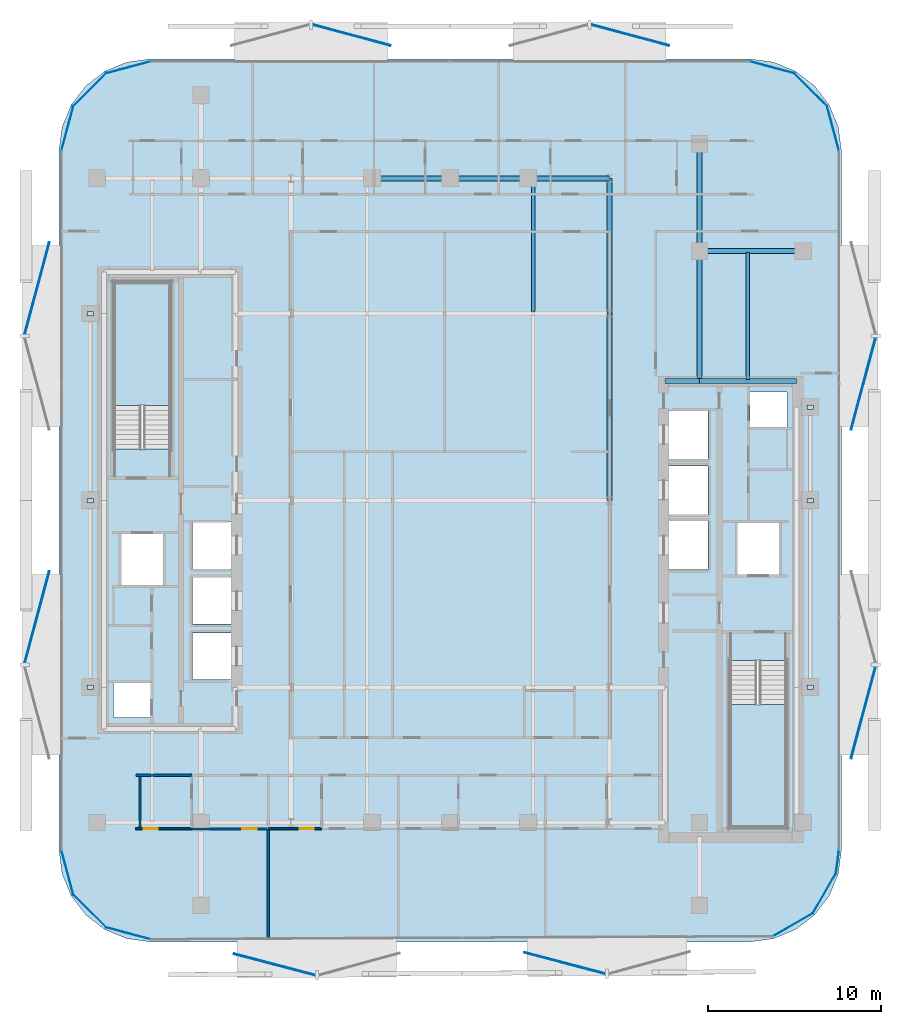
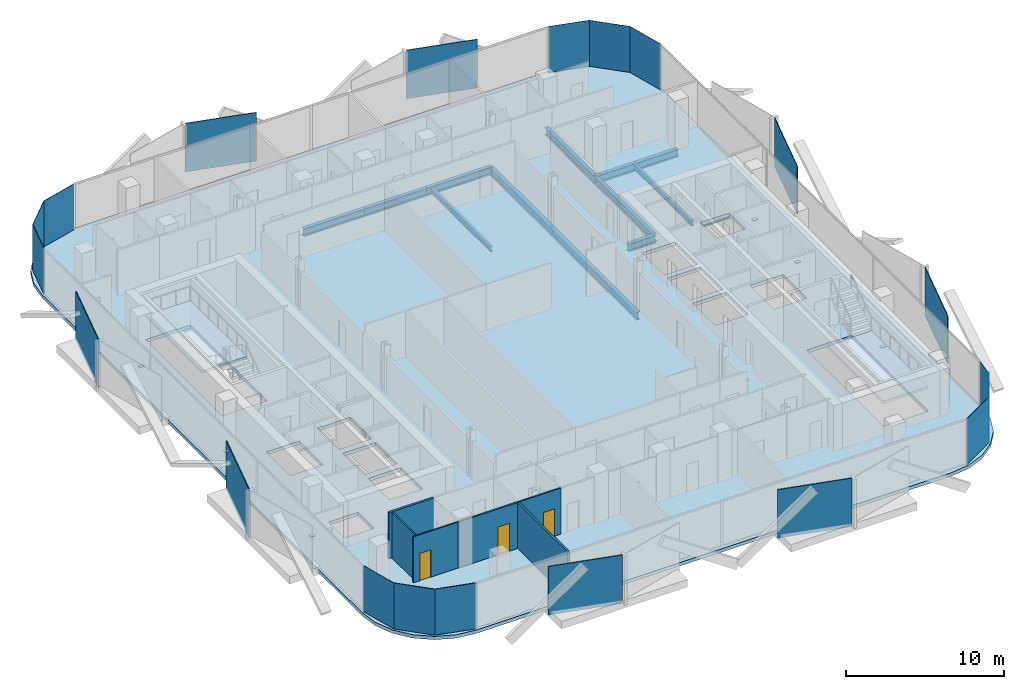
# One storey, part 2 of 17: 26 plates, 12 beams, 6 walls, 3 doors, 3 slabs, 3 openings, 2 elements without a shape of their own.
"""IFC4 building model written with IfcOpenShell, lengths in metres."""

from ifc_helpers import new_model, si_unit, direction, frame, frame_2d, origin, origin_2d, place, context, subcontext, project, spatial, polyline, rectangle, i_section, outline, extrude, material, layer, layer_set, material_profile, profile_set, type_object, element, fill, aggregate, save


model = new_model("IFC4")

# Units and contexts
model_context = context("Model", 3, precision=1e-05, world=origin(), true_north=direction((0.0, 1.0)))
body_context = subcontext(model_context, "Body", "Model", "MODEL_VIEW")
ifc_project = project(units=[si_unit("LENGTHUNIT", "METRE"), si_unit("AREAUNIT", "SQUARE_METRE"), si_unit("VOLUMEUNIT", "CUBIC_METRE"), si_unit("PLANEANGLEUNIT", "RADIAN"), si_unit("MASSUNIT", "GRAM", prefix="KILO")], contexts=[model_context])

# Site, building, storey
site_placement = place(None, origin())
site = spatial("IfcSite", under=ifc_project, at=site_placement, CompositionType="ELEMENT")
building_placement = place(site_placement, origin())
building = spatial("IfcBuilding", under=site, at=building_placement, Name="Khairoan Windgate Tower", CompositionType="ELEMENT")
storey_placement = place(building_placement, frame((0.0, 0.0, 195.39990234375)))
storey = spatial("IfcBuildingStorey", under=building, at=storey_placement, Name="L45", CompositionType="ELEMENT", Elevation=195.39990234375)

# Beams
ifc_material_1 = material(Name="Steel S355", Category="steel")
ifc_material_profile_1 = material_profile(ifc_material_1, i_section(OverallWidth=0.300048828125, OverallDepth=0.587890625, WebThickness=0.011962890625, FlangeThickness=0.02001953125, FilletRadius=0.02392578125, at=origin_2d()))
ifc_profile_set_1 = profile_set([ifc_material_profile_1], Name="Steel S355")
beam_type_1 = type_object("IfcBeamType", Name="Beam B-G4 H588x300x12x20", PredefinedType="BEAM", material=ifc_profile_set_1)
beam_1_placement = place(storey_placement, frame((12.39990234375, 6.89990234375, -0.553955078125), z_axis=(1.0, 0.0, 0.0), x_axis=(0.0, 1.0, 0.0)))
element("IfcBeam", 1, at=beam_1_placement, inside=storey, type_object=beam_type_1, Name="L45 E-W Primary Girder 15", PredefinedType="BEAM", context=body_context, shape_type="SweptSolid", body=[
    extrude(i_section(OverallWidth=0.300048828125, OverallDepth=0.587890625, WebThickness=0.011962890625, FlangeThickness=0.02001953125, FilletRadius=0.02392578125, at=origin_2d()), origin(), (0.0, 0.0, 1.0), 2.0),
])
beam_2_placement = place(storey_placement, frame((14.39990234375, 6.89990234375, -0.553955078125), z_axis=(1.0, 0.0, 0.0), x_axis=(0.0, 1.0, 0.0)))
element("IfcBeam", 2, at=beam_2_placement, inside=storey, type_object=beam_type_1, Name="L45 E-W Primary Girder 16", PredefinedType="BEAM", context=body_context, shape_type="SweptSolid", body=[
    extrude(i_section(OverallWidth=0.300048828125, OverallDepth=0.587890625, WebThickness=0.011962890625, FlangeThickness=0.02001953125, FilletRadius=0.02392578125, at=origin_2d()), origin(), (0.0, 0.0, 1.0), 5.60009765625),
])
beam_3_placement = place(storey_placement, frame((14.39990234375, 14.39990234375, -0.553955078125), z_axis=(1.0, 0.0, 0.0), x_axis=(0.0, 1.0, 0.0)))
element("IfcBeam", 3, at=beam_3_placement, inside=storey, type_object=beam_type_1, Name="L45 E-W Primary Girder 21", PredefinedType="BEAM", context=body_context, shape_type="SweptSolid", body=[
    extrude(i_section(OverallWidth=0.300048828125, OverallDepth=0.587890625, WebThickness=0.011962890625, FlangeThickness=0.02001953125, FilletRadius=0.02392578125, at=origin_2d()), origin(), (0.0, 0.0, 1.0), 6.0),
])
for number, where, z_axis, x_axis, name in (
    (4, (-4.5, 18.60009765625, -0.553955078125), (1.0, 0.0, 0.0), (0.0, 1.0, 0.0), "L45 E-W Primary Girder 25"),
    (5, (0.0, 18.60009765625, -0.553955078125), (1.0, 0.0, 0.0), (0.0, 1.0, 0.0), "L45 E-W Primary Girder 26"),
):
    element("IfcBeam", number, at=place(storey_placement, frame(where, z_axis=z_axis, x_axis=x_axis)), inside=storey, type_object=beam_type_1, Name=name, PredefinedType="BEAM", context=body_context, shape_type="SweptSolid", body=[
        extrude(i_section(OverallWidth=0.300048828125, OverallDepth=0.587890625, WebThickness=0.011962890625, FlangeThickness=0.02001953125, FilletRadius=0.02392578125, at=origin_2d()), origin(), (0.0, 0.0, 1.0), 4.5),
    ])
beam_4_placement = place(storey_placement, frame((4.5, 18.60009765625, -0.553955078125), z_axis=(1.0, 0.0, 0.0), x_axis=(0.0, 1.0, 0.0)))
element("IfcBeam", 6, at=beam_4_placement, inside=storey, type_object=beam_type_1, Name="L45 E-W Primary Girder 27", PredefinedType="BEAM", context=body_context, shape_type="SweptSolid", body=[
    extrude(i_section(OverallWidth=0.300048828125, OverallDepth=0.587890625, WebThickness=0.011962890625, FlangeThickness=0.02001953125, FilletRadius=0.02392578125, at=origin_2d()), origin(), (0.0, 0.0, 1.0), 4.699951171875),
])
beam_5_placement = place(storey_placement, frame((9.199951171875, 0.0, -0.553955078125), z_axis=(0.0, 1.0, 0.0), x_axis=(-1.0, 0.0, 0.0)))
element("IfcBeam", 7, at=beam_5_placement, inside=storey, type_object=beam_type_1, Name="L45 N-S Primary Beam 47", PredefinedType="BEAM", context=body_context, shape_type="SweptSolid", body=[
    extrude(i_section(OverallWidth=0.300048828125, OverallDepth=0.587890625, WebThickness=0.011962890625, FlangeThickness=0.02001953125, FilletRadius=0.02392578125, at=origin_2d()), origin(), (0.0, 0.0, 1.0), 10.800048828125),
])
beam_6_placement = place(storey_placement, frame((9.199951171875, 10.800048828125, -0.553955078125), z_axis=(0.0, 1.0, 0.0), x_axis=(-1.0, 0.0, 0.0)))
element("IfcBeam", 8, at=beam_6_placement, inside=storey, type_object=beam_type_1, Name="L45 N-S Primary Beam 48", PredefinedType="BEAM", context=body_context, shape_type="SweptSolid", body=[
    extrude(i_section(OverallWidth=0.300048828125, OverallDepth=0.587890625, WebThickness=0.011962890625, FlangeThickness=0.02001953125, FilletRadius=0.02392578125, at=origin_2d()), origin(), (0.0, 0.0, 1.0), 7.800048828125),
])
beam_7_placement = place(storey_placement, frame((14.39990234375, 6.89990234375, -0.553955078125), z_axis=(0.0, 1.0, 0.0), x_axis=(-1.0, 0.0, 0.0)))
element("IfcBeam", 9, at=beam_7_placement, inside=storey, type_object=beam_type_1, Name="L45 N-S Primary Beam 51", PredefinedType="BEAM", context=body_context, shape_type="SweptSolid", body=[
    extrude(i_section(OverallWidth=0.300048828125, OverallDepth=0.587890625, WebThickness=0.011962890625, FlangeThickness=0.02001953125, FilletRadius=0.02392578125, at=origin_2d()), origin(), (0.0, 0.0, 1.0), 7.5),
])
beam_8_placement = place(storey_placement, frame((14.39990234375, 14.39990234375, -0.553955078125), z_axis=(0.0, 1.0, 0.0), x_axis=(-1.0, 0.0, 0.0)))
element("IfcBeam", 10, at=beam_8_placement, inside=storey, type_object=beam_type_1, Name="L45 N-S Primary Beam 52", PredefinedType="BEAM", context=body_context, shape_type="SweptSolid", body=[
    extrude(i_section(OverallWidth=0.300048828125, OverallDepth=0.587890625, WebThickness=0.011962890625, FlangeThickness=0.02001953125, FilletRadius=0.02392578125, at=origin_2d()), origin(), (0.0, 0.0, 1.0), 6.2001953125),
])
ifc_material_2 = material(Name="Steel S355", Category="steel")
ifc_material_profile_2 = material_profile(ifc_material_2, i_section(OverallWidth=0.199951171875, OverallDepth=0.39990234375, WebThickness=0.008056640625, FlangeThickness=0.012939453125, FilletRadius=0.01611328125, at=origin_2d()))
ifc_profile_set_2 = profile_set([ifc_material_profile_2], Name="Steel S355")
beam_type_2 = type_object("IfcBeamType", Name="Beam J-S4 H400x200x8x13", PredefinedType="JOIST", material=ifc_profile_set_2)
beam_9_placement = place(storey_placement, frame((4.800048828125, 10.889892578125, -0.4599609375), z_axis=(0.0, 1.0, 0.0), x_axis=(-1.0, 0.0, 0.0)))
element("IfcBeam", 11, at=beam_9_placement, inside=storey, type_object=beam_type_2, Name="L45 Secondary Floor Joist 10", PredefinedType="JOIST", context=body_context, shape_type="SweptSolid", body=[
    extrude(i_section(OverallWidth=0.199951171875, OverallDepth=0.39990234375, WebThickness=0.008056640625, FlangeThickness=0.012939453125, FilletRadius=0.01611328125, at=origin_2d()), origin(), (0.0, 0.0, 1.0), 7.6201171875),
])
beam_10_placement = place(storey_placement, frame((17.199951171875, 6.989990234375, -0.4599609375), z_axis=(0.0, 1.0, 0.0), x_axis=(-1.0, 0.0, 0.0)))
element("IfcBeam", 12, at=beam_10_placement, inside=storey, type_object=beam_type_2, Name="L45 Secondary Floor Joist 11", PredefinedType="JOIST", context=body_context, shape_type="SweptSolid", body=[
    extrude(i_section(OverallWidth=0.199951171875, OverallDepth=0.39990234375, WebThickness=0.008056640625, FlangeThickness=0.012939453125, FilletRadius=0.01611328125, at=origin_2d()), origin(), (0.0, 0.0, 1.0), 7.320068359375),
])

# Plates
ifc_material_3 = material(Name="Low-E Solar Control Laminated Glass", Category="glass")
ifc_layer_1 = layer(ifc_material_3, 0.030029296875, Name="Low-E Solar Control Laminated Glass")
ifc_layer_set_1 = layer_set([ifc_layer_1], Name="Low-E Solar Control Laminated Glass")
plate_type_1 = type_object("IfcPlateType", Name="Aerodynamic Wind-Corner Curved Glazing Plate", PredefinedType="USERDEFINED", material=ifc_layer_set_1)
plate_1_placement = place(storey_placement, frame((-18.585205078125, -25.013916015625, 0.0), z_axis=(0.0, 0.0, 1.0), x_axis=(-0.966061211211, 0.258313252067, 0.0)))
element("IfcPlate", 13, at=plate_1_placement, inside=storey, type_object=plate_type_1, Name="L45 Aerodynamic Wind-Corner Curved Glazing Panel 2", ObjectType="GLAZING PANEL", PredefinedType="USERDEFINED", context=body_context, shape_type="SweptSolid", body=[
    extrude(rectangle(XDim=2.719482421875, YDim=0.030029296875, at=origin_2d()), origin(), (0.0, 0.0, 1.0), 3.5400390625),
])
plate_2_placement = place(storey_placement, frame((-20.823486328125, -23.723388671875, 0.0), z_axis=(0.0, 0.0, 1.0), x_axis=(-0.707106781187, 0.707106781187, 0.0)))
element("IfcPlate", 14, at=plate_2_placement, inside=storey, type_object=plate_type_1, Name="L45 Aerodynamic Wind-Corner Curved Glazing Panel 3", ObjectType="GLAZING PANEL", PredefinedType="USERDEFINED", context=body_context, shape_type="SweptSolid", body=[
    extrude(rectangle(XDim=2.710205078125, YDim=0.030029296875, at=origin_2d()), origin(), (0.0, 0.0, 1.0), 3.5400390625),
])
for number, where, z_axis, x_axis, name in (
    (15, (-22.11376953125, -21.485107421875, 0.0), (0.0, 0.0, 1.0), (-0.258313252067, 0.966061211211, 0.0), "L45 Aerodynamic Wind-Corner Curved Glazing Panel 4"),
    (16, (-22.11376953125, 21.485107421875, 0.0), (0.0, 0.0, 1.0), (0.258313252067, 0.966061211211, 0.0), "L45 Aerodynamic Wind-Corner Curved Glazing Panel 6"),
):
    element("IfcPlate", number, at=place(storey_placement, frame(where, z_axis=z_axis, x_axis=x_axis)), inside=storey, type_object=plate_type_1, Name=name, ObjectType="GLAZING PANEL", PredefinedType="USERDEFINED", context=body_context, shape_type="SweptSolid", body=[
        extrude(rectangle(XDim=2.719482421875, YDim=0.030029296875, at=origin_2d()), origin(), (0.0, 0.0, 1.0), 3.5400390625),
    ])
plate_3_placement = place(storey_placement, frame((-20.823486328125, 23.723388671875, 0.0), z_axis=(0.0, 0.0, 1.0), x_axis=(0.707106781187, 0.707106781187, 0.0)))
element("IfcPlate", 17, at=plate_3_placement, inside=storey, type_object=plate_type_1, Name="L45 Aerodynamic Wind-Corner Curved Glazing Panel 7", ObjectType="GLAZING PANEL", PredefinedType="USERDEFINED", context=body_context, shape_type="SweptSolid", body=[
    extrude(rectangle(XDim=2.710205078125, YDim=0.030029296875, at=origin_2d()), origin(), (0.0, 0.0, 1.0), 3.5400390625),
])
for number, where, z_axis, x_axis, name in (
    (18, (-18.585205078125, 25.013916015625, 0.0), (0.0, 0.0, 1.0), (0.966061211211, 0.258313252067, 0.0), "L45 Aerodynamic Wind-Corner Curved Glazing Panel 8"),
    (19, (18.585205078125, 25.013916015625, 0.0), (0.0, 0.0, 1.0), (0.966061211211, -0.258313252067, 0.0), "L45 Aerodynamic Wind-Corner Curved Glazing Panel 10"),
):
    element("IfcPlate", number, at=place(storey_placement, frame(where, z_axis=z_axis, x_axis=x_axis)), inside=storey, type_object=plate_type_1, Name=name, ObjectType="GLAZING PANEL", PredefinedType="USERDEFINED", context=body_context, shape_type="SweptSolid", body=[
        extrude(rectangle(XDim=2.719482421875, YDim=0.030029296875, at=origin_2d()), origin(), (0.0, 0.0, 1.0), 3.5400390625),
    ])
plate_4_placement = place(storey_placement, frame((20.823486328125, 23.723388671875, 0.0), z_axis=(0.0, 0.0, 1.0), x_axis=(0.707106781187, -0.707106781187, 0.0)))
element("IfcPlate", 20, at=plate_4_placement, inside=storey, type_object=plate_type_1, Name="L45 Aerodynamic Wind-Corner Curved Glazing Panel 11", ObjectType="GLAZING PANEL", PredefinedType="USERDEFINED", context=body_context, shape_type="SweptSolid", body=[
    extrude(rectangle(XDim=2.710205078125, YDim=0.030029296875, at=origin_2d()), origin(), (0.0, 0.0, 1.0), 3.5400390625),
])
plate_5_placement = place(storey_placement, frame((22.11376953125, 21.485107421875, 0.0), z_axis=(0.0, 0.0, 1.0), x_axis=(0.258313252067, -0.966061211211, 0.0)))
element("IfcPlate", 21, at=plate_5_placement, inside=storey, type_object=plate_type_1, Name="L45 Aerodynamic Wind-Corner Curved Glazing Panel 12", ObjectType="GLAZING PANEL", PredefinedType="USERDEFINED", context=body_context, shape_type="SweptSolid", body=[
    extrude(rectangle(XDim=2.719482421875, YDim=0.030029296875, at=origin_2d()), origin(), (0.0, 0.0, 1.0), 3.5400390625),
])
plate_6_placement = place(storey_placement, frame((22.37158203125, -20.863037109375, 0.0), z_axis=(0.0, 0.0, 1.0), x_axis=(-0.13052619222, -0.991444861374, 0.0)))
element("IfcPlate", 22, at=plate_6_placement, inside=storey, type_object=plate_type_1, Name="L45 Aerodynamic Wind-Corner Curved Glazing Panel 14", ObjectType="GLAZING PANEL", PredefinedType="USERDEFINED", context=body_context, shape_type="SweptSolid", body=[
    extrude(rectangle(XDim=1.39599609375, YDim=0.030029296875, at=origin_2d()), origin(), (0.0, 0.0, 1.0), 3.5400390625),
])
for number, where, z_axis, x_axis, name in (
    (23, (21.615478515625, -22.69140625, 0.0), (0.0, 0.0, 1.0), (-0.5, -0.866025403784, 0.0), "L45 Aerodynamic Wind-Corner Curved Glazing Panel 15"),
    (24, (19.79150390625, -24.515380859375, 0.0), (0.0, 0.0, 1.0), (-0.866025403784, -0.5, 0.0), "L45 Aerodynamic Wind-Corner Curved Glazing Panel 16"),
):
    element("IfcPlate", number, at=place(storey_placement, frame(where, z_axis=z_axis, x_axis=x_axis)), inside=storey, type_object=plate_type_1, Name=name, ObjectType="GLAZING PANEL", PredefinedType="USERDEFINED", context=body_context, shape_type="SweptSolid", body=[
        extrude(rectangle(XDim=2.71044921875, YDim=0.030029296875, at=origin_2d()), origin(), (0.0, 0.0, 1.0), 3.5400390625),
    ])
ifc_material_4 = material(Name="Steel S355", Category="steel")
ifc_layer_2 = layer(ifc_material_4, 0.0400390625, Name="Steel S355")
ifc_layer_set_2 = layer_set([ifc_layer_2], Name="Steel S355")
plate_type_2 = type_object("IfcPlateType", Name="Hollow Section End-Cap Plate PL-CAP40", PredefinedType="SHEET", material=ifc_layer_set_2)
for number, where, z_axis, x_axis, name in (
    (25, (-20.800048828125, -10.784912109375, -0.454833984375), (0.0, 0.0, 1.0), (0.0, 1.0, 0.0), "BM-SP-L45-028 steel end-cap plate 1"),
    (26, (-20.800048828125, -0.014892578125, -0.454833984375), (0.0, 0.0, 1.0), (0.0, 1.0, 0.0), "BM-SP-L45-028 steel end-cap plate 2"),
    (27, (-20.800048828125, 10.784912109375, -0.454833984375), (0.0, 0.0, 1.0), (0.0, 1.0, 0.0), "BM-SP-L45-029 steel end-cap plate 2"),
    (28, (20.800048828125, -10.784912109375, -0.454833984375), (0.0, 0.0, 1.0), (0.0, 1.0, 0.0), "BM-SP-L45-056 steel end-cap plate 1"),
    (29, (20.800048828125, -0.014892578125, -0.454833984375), (0.0, 0.0, 1.0), (0.0, 1.0, 0.0), "BM-SP-L45-056 steel end-cap plate 2"),
    (30, (20.800048828125, 5.385009765625, -0.454833984375), (0.0, 0.0, 1.0), (0.0, 1.0, 0.0), "BM-SP-L45-057 steel end-cap plate 2"),
):
    element("IfcPlate", number, at=place(storey_placement, frame(where, z_axis=z_axis, x_axis=x_axis)), inside=storey, type_object=plate_type_2, Name=name, PredefinedType="SHEET", context=body_context, shape_type="SweptSolid", body=[
        extrude(rectangle(XDim=0.27001953125, YDim=0.3701171875, at=origin_2d()), origin(), (0.0, 0.0, 1.0), 0.0400390625),
    ])
ifc_material_5 = material(Name="Anodised Bronze Aluminium 6063-T6", Category="aluminium")
ifc_layer_3 = layer(ifc_material_5, 0.054931640625, Name="Anodised Bronze Aluminium 6063-T6")
ifc_layer_set_3 = layer_set([ifc_layer_3], Name="Anodised Bronze Aluminium 6063-T6")
plate_type_3 = type_object("IfcPlateType", Name="Perforated Bronze Solar Screen Panel BSP-1", PredefinedType="USERDEFINED", material=ifc_layer_set_3)
for number, where, z_axis, x_axis, name in (
    (31, (6.623291015625, -26.733154296875, -0.10009765625), (0.0, 0.0, 1.0), (-0.967179115616, 0.254095569259, 0.0), "L45 Perforated Bronze Solar Screen Panel 297R"),
    (32, (-10.1396484375, -26.815673828125, -0.10009765625), (0.0, 0.0, 1.0), (-0.967179115616, 0.254095569259, 0.0), "L45 Perforated Bronze Solar Screen Panel 298R"),
):
    element("IfcPlate", number, at=place(storey_placement, frame(where, z_axis=z_axis, x_axis=x_axis)), inside=storey, type_object=plate_type_3, Name=name, ObjectType="SCREEN", PredefinedType="USERDEFINED", context=body_context, shape_type="SweptSolid", body=[
        extrude(rectangle(XDim=4.861083984375, YDim=0.054931640625, at=origin_2d()), origin(), (0.0, 0.0, 1.0), 3.739990234375),
    ])
for number, where, z_axis, x_axis, name in (
    (33, (-23.8671875, -6.74560546875, -0.10009765625), (0.0, 0.0, 1.0), (0.258819045103, 0.965925826289, 0.0), "L45 Perforated Bronze Solar Screen Panel 299R"),
    (34, (-23.8671875, 12.2451171875, -0.10009765625), (0.0, 0.0, 1.0), (0.258819045103, 0.965925826289, 0.0), "L45 Perforated Bronze Solar Screen Panel 300R"),
):
    element("IfcPlate", number, at=place(storey_placement, frame(where, z_axis=z_axis, x_axis=x_axis)), inside=storey, type_object=plate_type_3, Name=name, ObjectType="SCREEN", PredefinedType="USERDEFINED", context=body_context, shape_type="SweptSolid", body=[
        extrude(rectangle(XDim=5.507080078125, YDim=0.054931640625, at=origin_2d()), origin(), (0.0, 0.0, 1.0), 3.739990234375),
    ])
for number, where, z_axis, x_axis, name in (
    (35, (-5.701904296875, 26.876220703125, -0.10009765625), (0.0, 0.0, 1.0), (0.965925826289, -0.258819045103, 0.0), "L45 Perforated Bronze Solar Screen Panel 301R"),
    (36, (10.388916015625, 26.876220703125, -0.10009765625), (0.0, 0.0, 1.0), (0.965925826289, -0.258819045103, 0.0), "L45 Perforated Bronze Solar Screen Panel 302R"),
):
    element("IfcPlate", number, at=place(storey_placement, frame(where, z_axis=z_axis, x_axis=x_axis)), inside=storey, type_object=plate_type_3, Name=name, ObjectType="SCREEN", PredefinedType="USERDEFINED", context=body_context, shape_type="SweptSolid", body=[
        extrude(rectangle(XDim=4.666015625, YDim=0.054931640625, at=origin_2d()), origin(), (0.0, 0.0, 1.0), 3.739990234375),
    ])
for number, where, z_axis, x_axis, name in (
    (37, (23.8671875, 6.74560546875, -0.10009765625), (0.0, 0.0, 1.0), (-0.258819045103, -0.965925826289, 0.0), "L45 Perforated Bronze Solar Screen Panel 303R"),
    (38, (23.8671875, -12.2451171875, -0.10009765625), (0.0, 0.0, 1.0), (-0.258819045103, -0.965925826289, 0.0), "L45 Perforated Bronze Solar Screen Panel 304R"),
):
    element("IfcPlate", number, at=place(storey_placement, frame(where, z_axis=z_axis, x_axis=x_axis)), inside=storey, type_object=plate_type_3, Name=name, ObjectType="SCREEN", PredefinedType="USERDEFINED", context=body_context, shape_type="SweptSolid", body=[
        extrude(rectangle(XDim=5.507080078125, YDim=0.054931640625, at=origin_2d()), origin(), (0.0, 0.0, 1.0), 3.739990234375),
    ])

# Stair, slab
ifc_material_6 = material(Name="Concrete C40/50", Category="concrete")
stair_type = type_object("IfcStairType", Name="Tower Core Dog-Leg Stair ST-T1 1560mm", PredefinedType="HALF_TURN_STAIR", material=ifc_material_6)
stair_1_placement = place(storey_placement, origin())
stair_1 = element("IfcStair", 39, at=stair_1_placement, inside=storey, type_object=stair_type, Name="L45 Stair ST1", PredefinedType="HALF_TURN_STAIR")
ifc_material_7 = material(Name="Concrete C40/50", Category="concrete")
ifc_layer_4 = layer(ifc_material_7, 0.199951171875, Name="Concrete C40/50")
ifc_layer_set_4 = layer_set([ifc_layer_4], Name="Concrete C40/50")
slab_type_1 = type_object("IfcSlabType", Name="Reinforced Concrete Stair Landing Slab STL-200", PredefinedType="LANDING", material=ifc_layer_set_4)
slab_1_placement = place(storey_placement, frame((0.0, 0.0, 1.7001953125)))
slab_1 = element("IfcSlab", 40, at=slab_1_placement, type_object=slab_type_1, Name="ST1 landing 1", PredefinedType="LANDING", context=body_context, shape_type="SweptSolid", body=[
    extrude(outline(polyline([(16.14990234375, -11.780029296875), (16.14990234375, -18.89990234375), (19.419921875, -18.89990234375), (19.419921875, -11.780029296875), (16.14990234375, -11.780029296875)])), origin(), (0.0, 0.0, 1.0), 0.199951171875),
])
aggregate(stair_1, [slab_1])

stair_2_placement = place(storey_placement, origin())
stair_2 = element("IfcStair", 41, at=stair_2_placement, inside=storey, type_object=stair_type, Name="L45 Stair ST2", PredefinedType="HALF_TURN_STAIR")
slab_2_placement = place(storey_placement, frame((0.0, 0.0, 1.7001953125)))
slab_2 = element("IfcSlab", 42, at=slab_2_placement, type_object=slab_type_1, Name="ST2 landing 1", PredefinedType="LANDING", context=body_context, shape_type="SweptSolid", body=[
    extrude(outline(polyline([(-16.14990234375, 5.47998046875), (-16.14990234375, 12.60009765625), (-19.419921875, 12.60009765625), (-19.419921875, 5.47998046875), (-16.14990234375, 5.47998046875)])), origin(), (0.0, 0.0, 1.0), 0.199951171875),
])
aggregate(stair_2, [slab_2])

# Slab
ifc_material_8 = material(Name="Concrete C40/50", Category="concrete")
ifc_layer_5 = layer(ifc_material_8, 0.260009765625, Name="Concrete C40/50")
ifc_layer_set_5 = layer_set([ifc_layer_5], Name="Concrete C40/50")
slab_type_2 = type_object("IfcSlabType", Name="Tower Composite Floor Slab FS2 260mm", PredefinedType="FLOOR", material=ifc_layer_set_5)
slab_3_placement = place(storey_placement, frame((0.0, 0.0, -0.260009765625)))
element("IfcSlab", 43, at=slab_3_placement, inside=storey, type_object=slab_type_2, Name="L45 Structural Floor Slab", PredefinedType="FLOOR", context=body_context, shape_type="SweptSolid", body=[
    extrude(outline(polyline([(17.300048828125, -25.5), (18.671630859375, -25.3193359375), (19.949951171875, -24.789794921875), (21.047607421875, -23.94775390625), (21.889892578125, -22.85009765625), (22.41943359375, -21.57177734375), (22.60009765625, -20.199951171875), (22.60009765625, 20.199951171875), (22.41943359375, 21.57177734375), (21.889892578125, 22.85009765625), (21.047607421875, 23.94775390625), (19.949951171875, 24.789794921875), (18.671630859375, 25.3193359375), (17.300048828125, 25.5), (-17.300048828125, 25.5), (-18.671630859375, 25.3193359375), (-19.949951171875, 24.789794921875), (-21.047607421875, 23.94775390625), (-21.889892578125, 22.85009765625), (-22.41943359375, 21.57177734375), (-22.60009765625, 20.199951171875), (-22.60009765625, -20.199951171875), (-22.41943359375, -21.57177734375), (-21.889892578125, -22.85009765625), (-21.047607421875, -23.94775390625), (-19.949951171875, -24.789794921875), (-18.671630859375, -25.3193359375), (-17.300048828125, -25.5), (17.300048828125, -25.5)]), holes=[polyline([(16.14990234375, -9.260009765625), (16.14990234375, -18.89990234375), (19.419921875, -18.89990234375), (19.419921875, -9.260009765625), (16.14990234375, -9.260009765625)]), polyline([(-16.14990234375, 2.9599609375), (-16.14990234375, 12.60009765625), (-19.419921875, 12.60009765625), (-19.419921875, 2.9599609375), (-16.14990234375, 2.9599609375)]), polyline([(-14.89990234375, -3.949951171875), (-12.5, -3.949951171875), (-12.5, -1.25), (-14.89990234375, -1.25), (-14.89990234375, -3.949951171875)]), polyline([(-14.89990234375, -7.14990234375), (-12.5, -7.14990234375), (-12.5, -4.449951171875), (-14.89990234375, -4.449951171875), (-14.89990234375, -7.14990234375)]), polyline([(-14.89990234375, -10.35009765625), (-12.5, -10.35009765625), (-12.5, -7.64990234375), (-14.89990234375, -7.64990234375), (-14.89990234375, -10.35009765625)]), polyline([(12.5, 2.39990234375), (14.89990234375, 2.39990234375), (14.89990234375, 5.199951171875), (12.5, 5.199951171875), (12.5, 2.39990234375)]), polyline([(12.5, -0.800048828125), (14.89990234375, -0.800048828125), (14.89990234375, 2.0), (12.5, 2.0), (12.5, -0.800048828125)]), polyline([(12.5, -4.0), (14.89990234375, -4.0), (14.89990234375, -1.199951171875), (12.5, -1.199951171875), (12.5, -4.0)]), polyline([(16.60009765625, -4.300048828125), (19.0, -4.300048828125), (19.0, -1.300048828125), (16.60009765625, -1.300048828125), (16.60009765625, -4.300048828125)]), polyline([(-19.0, -4.89990234375), (-16.60009765625, -4.89990234375), (-16.60009765625, -1.89990234375), (-19.0, -1.89990234375), (-19.0, -4.89990234375)]), polyline([(-19.449951171875, -12.550048828125), (-17.31005859375, -12.550048828125), (-17.31005859375, -10.550048828125), (-19.449951171875, -10.550048828125), (-19.449951171875, -12.550048828125)]), polyline([(17.31005859375, 4.25), (19.449951171875, 4.25), (19.449951171875, 6.25), (17.31005859375, 6.25), (17.31005859375, 4.25)])]), origin(), (0.0, 0.0, 1.0), 0.260009765625),
])

# Wall, opening, door
ifc_material_9 = material(Name="Moisture-Resistant Gypsum Partition", Category="gypsum")
ifc_layer_6 = layer(ifc_material_9, 0.10009765625, Name="Moisture-Resistant Gypsum Partition")
ifc_layer_set_6 = layer_set([ifc_layer_6], Name="Moisture-Resistant Gypsum Partition")
wall_type_1 = type_object("IfcWallType", Name="Bathroom Wet-Area Partition Wall", PredefinedType="PARTITIONING", material=ifc_layer_set_6)
wall_1_placement = place(storey_placement, frame((-18.159912109375, -18.969970703125, 0.0), z_axis=(0.0, 0.0, 1.0), x_axis=(1.0, 0.0, 0.0)))
wall_1 = element("IfcWall", 44, at=wall_1_placement, inside=storey, type_object=wall_type_1, Name="L45 Interior Partition 079", PredefinedType="PARTITIONING", context=body_context, shape_type="SweptSolid", body=[
    extrude(rectangle(XDim=3.23583984375, YDim=0.10009765625, at=frame_2d((1.617919921875, 0.0))), origin(), (0.0, 0.0, 1.0), 3.5400390625),
])
opening_1_placement = place(wall_1_placement, frame((0.4599609375, 0.0, 0.0)))
opening_1 = element("IfcOpeningElement", 45, at=opening_1_placement, cuts=wall_1, Name="Opening ID-BTH", PredefinedType="OPENING", context=body_context, shape_type="SweptSolid", body=[
    extrude(rectangle(XDim=0.800048828125, YDim=2.10009765625, at=frame_2d((0.39990234375, 1.050048828125))), frame((0.0, 0.06005859375, 0.0), z_axis=(0.0, -1.0, 0.0), x_axis=(1.0, 0.0, 0.0)), (0.0, 0.0, 1.0), 0.1201171875),
])
ifc_material_10 = material(Name="Teak Veneer Timber Leaf", Category="wood")
door_type_1 = type_object("IfcDoorType", Name="Internal Bathroom Door ID-BTH 800x2100", OperationType="NOTDEFINED", PredefinedType="DOOR", material=ifc_material_10)
door_1_placement = place(opening_1_placement, origin())
door_1 = element("IfcDoor", 46, at=door_1_placement, inside=storey, type_object=door_type_1, Name="L45 L45-54-L45-56 Door", OperationType="SINGLE_SWING_LEFT", OverallHeight=2.10009765625, OverallWidth=0.800048828125, PredefinedType="DOOR", context=body_context, shape_type="SweptSolid", body=[
    extrude(rectangle(XDim=0.800048828125, YDim=2.10009765625, at=frame_2d((0.39990234375, 1.050048828125))), frame((0.0, 0.02490234375, 0.0), z_axis=(0.0, -1.0, 0.0), x_axis=(1.0, 0.0, 0.0)), (0.0, 0.0, 1.0), 0.050048828125),
])
fill(opening_1, door_1)

wall_2_placement = place(storey_placement, frame((-10.5, -18.969970703125, 0.0), z_axis=(0.0, 0.0, 1.0), x_axis=(1.0, 0.0, 0.0)))
wall_2 = element("IfcWall", 47, at=wall_2_placement, inside=storey, type_object=wall_type_1, Name="L45 Interior Partition 084", PredefinedType="PARTITIONING", context=body_context, shape_type="SweptSolid", body=[
    extrude(rectangle(XDim=3.075927734375, YDim=0.10009765625, at=frame_2d((1.5380859375, 0.0))), origin(), (0.0, 0.0, 1.0), 3.5400390625),
])
opening_2_placement = place(wall_2_placement, frame((1.81591796875, 0.0, 0.0)))
opening_2 = element("IfcOpeningElement", 48, at=opening_2_placement, cuts=wall_2, Name="Opening ID-BTH", PredefinedType="OPENING", context=body_context, shape_type="SweptSolid", body=[
    extrude(rectangle(XDim=0.800048828125, YDim=2.10009765625, at=frame_2d((0.39990234375, 1.050048828125))), frame((0.0, 0.06005859375, 0.0), z_axis=(0.0, -1.0, 0.0), x_axis=(1.0, 0.0, 0.0)), (0.0, 0.0, 1.0), 0.1201171875),
])
door_2_placement = place(opening_2_placement, origin())
door_2 = element("IfcDoor", 49, at=door_2_placement, inside=storey, type_object=door_type_1, Name="L45 L45-57-L45-59 Door", OperationType="SINGLE_SWING_RIGHT", OverallHeight=2.10009765625, OverallWidth=0.800048828125, PredefinedType="DOOR", context=body_context, shape_type="SweptSolid", body=[
    extrude(rectangle(XDim=0.800048828125, YDim=2.10009765625, at=frame_2d((0.39990234375, 1.050048828125))), frame((0.0, 0.02490234375, 0.0), z_axis=(0.0, -1.0, 0.0), x_axis=(1.0, 0.0, 0.0)), (0.0, 0.0, 1.0), 0.050048828125),
])
fill(opening_2, door_2)

# Walls
wall_3_placement = place(storey_placement, frame((-17.919921875, -18.919921875, 0.0), z_axis=(0.0, 0.0, 1.0), x_axis=(0.0, 1.0, 0.0)))
element("IfcWall", 50, at=wall_3_placement, inside=storey, type_object=wall_type_1, Name="L45 Wet Room Side Wall 101", PredefinedType="PARTITIONING", context=body_context, shape_type="SweptSolid", body=[
    extrude(rectangle(XDim=2.96484375, YDim=0.10009765625, at=frame_2d((1.482421875, 0.0))), origin(), (0.0, 0.0, 1.0), 3.5400390625),
])
ifc_material_11 = material(Name="Acoustic Fire-Rated Gypsum Partition", Category="gypsum")
ifc_layer_7 = layer(ifc_material_11, 0.139892578125, Name="Acoustic Fire-Rated Gypsum Partition")
ifc_layer_set_7 = layer_set([ifc_layer_7], Name="Acoustic Fire-Rated Gypsum Partition")
wall_type_2 = type_object("IfcWallType", Name="Inter-Tenancy Compartment Wall", PredefinedType="PARTITIONING", material=ifc_layer_set_7)
wall_4_placement = place(storey_placement, frame((-10.5, -25.321533203125, 0.0), z_axis=(0.0, 0.0, 1.0), x_axis=(0.0, 1.0, 0.0)))
element("IfcWall", 51, at=wall_4_placement, inside=storey, type_object=wall_type_2, Name="L45 Interior Partition 082", PredefinedType="PARTITIONING", context=body_context, shape_type="SweptSolid", body=[
    extrude(rectangle(XDim=6.3515625, YDim=0.139892578125, at=frame_2d((3.17578125, 0.0))), origin(), (0.0, 0.0, 1.0), 3.5400390625),
])

# Wall, opening, door
ifc_material_12 = material(Name="Gypsum Stud Partition", Category="gypsum")
ifc_layer_8 = layer(ifc_material_12, 0.1201171875, Name="Gypsum Stud Partition")
ifc_layer_set_8 = layer_set([ifc_layer_8], Name="Gypsum Stud Partition")
wall_type_3 = type_object("IfcWallType", Name="Internal Room Partition Wall", PredefinedType="PARTITIONING", material=ifc_layer_set_8)
wall_5_placement = place(storey_placement, frame((-14.924072265625, -18.969970703125, 0.0), z_axis=(0.0, 0.0, 1.0), x_axis=(1.0, 0.0, 0.0)))
wall_5 = element("IfcWall", 52, at=wall_5_placement, inside=storey, type_object=wall_type_3, Name="L45 Interior Partition 080", PredefinedType="PARTITIONING", context=body_context, shape_type="SweptSolid", body=[
    extrude(rectangle(XDim=4.424072265625, YDim=0.1201171875, at=frame_2d((2.2119140625, 0.0))), origin(), (0.0, 0.0, 1.0), 3.5400390625),
])
opening_3_placement = place(wall_5_placement, frame((2.900634765625, 0.0, 0.0)))
opening_3 = element("IfcOpeningElement", 53, at=opening_3_placement, cuts=wall_5, Name="Opening ID-RM", PredefinedType="OPENING", context=body_context, shape_type="SweptSolid", body=[
    extrude(rectangle(XDim=0.860107421875, YDim=2.14990234375, at=frame_2d((0.43017578125, 1.074951171875))), frame((0.0, 0.070068359375, 0.0), z_axis=(0.0, -1.0, 0.0), x_axis=(1.0, 0.0, 0.0)), (0.0, 0.0, 1.0), 0.14013671875),
])
ifc_material_13 = material(Name="Teak Veneer Timber Leaf", Category="wood")
door_type_2 = type_object("IfcDoorType", Name="Internal Bedroom and Office Door ID-RM 860x2150", OperationType="NOTDEFINED", PredefinedType="DOOR", material=ifc_material_13)
door_3_placement = place(opening_3_placement, origin())
door_3 = element("IfcDoor", 54, at=door_3_placement, inside=storey, type_object=door_type_2, Name="L45 L45-55-L45-56 Door", OperationType="SINGLE_SWING_RIGHT", OverallHeight=2.14990234375, OverallWidth=0.860107421875, PredefinedType="DOOR", context=body_context, shape_type="SweptSolid", body=[
    extrude(rectangle(XDim=0.860107421875, YDim=2.14990234375, at=frame_2d((0.43017578125, 1.074951171875))), frame((0.0, 0.02490234375, 0.0), z_axis=(0.0, -1.0, 0.0), x_axis=(1.0, 0.0, 0.0)), (0.0, 0.0, 1.0), 0.050048828125),
])
fill(opening_3, door_3)

# Wall
ifc_material_14 = material(Name="Acoustic Fire-Rated Gypsum Partition", Category="gypsum")
ifc_layer_9 = layer(ifc_material_14, 0.14990234375, Name="Acoustic Fire-Rated Gypsum Partition")
ifc_layer_set_9 = layer_set([ifc_layer_9], Name="Acoustic Fire-Rated Gypsum Partition")
wall_type_4 = type_object("IfcWallType", Name="Rated Corridor Partition Wall", PredefinedType="PARTITIONING", material=ifc_layer_set_9)
wall_6_placement = place(storey_placement, frame((-18.159912109375, -15.8798828125, 0.0), z_axis=(0.0, 0.0, 1.0), x_axis=(1.0, 0.0, 0.0)))
element("IfcWall", 55, at=wall_6_placement, inside=storey, type_object=wall_type_4, Name="L45 Interior Partition 036", PredefinedType="PARTITIONING", context=body_context, shape_type="SweptSolid", body=[
    extrude(rectangle(XDim=3.23583984375, YDim=0.14990234375, at=frame_2d((1.617919921875, 0.0))), origin(), (0.0, 0.0, 1.0), 3.5400390625),
])

save(model, "model.ifc")
